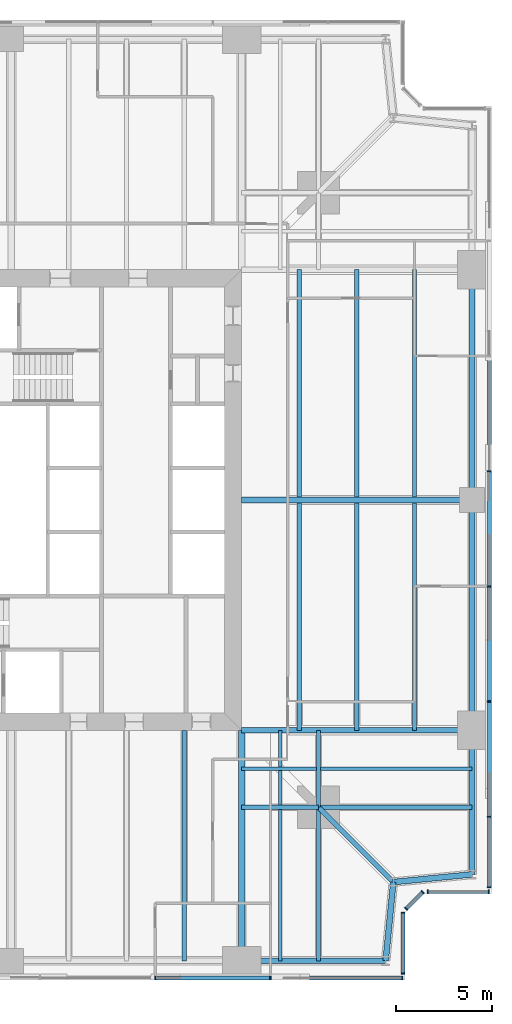
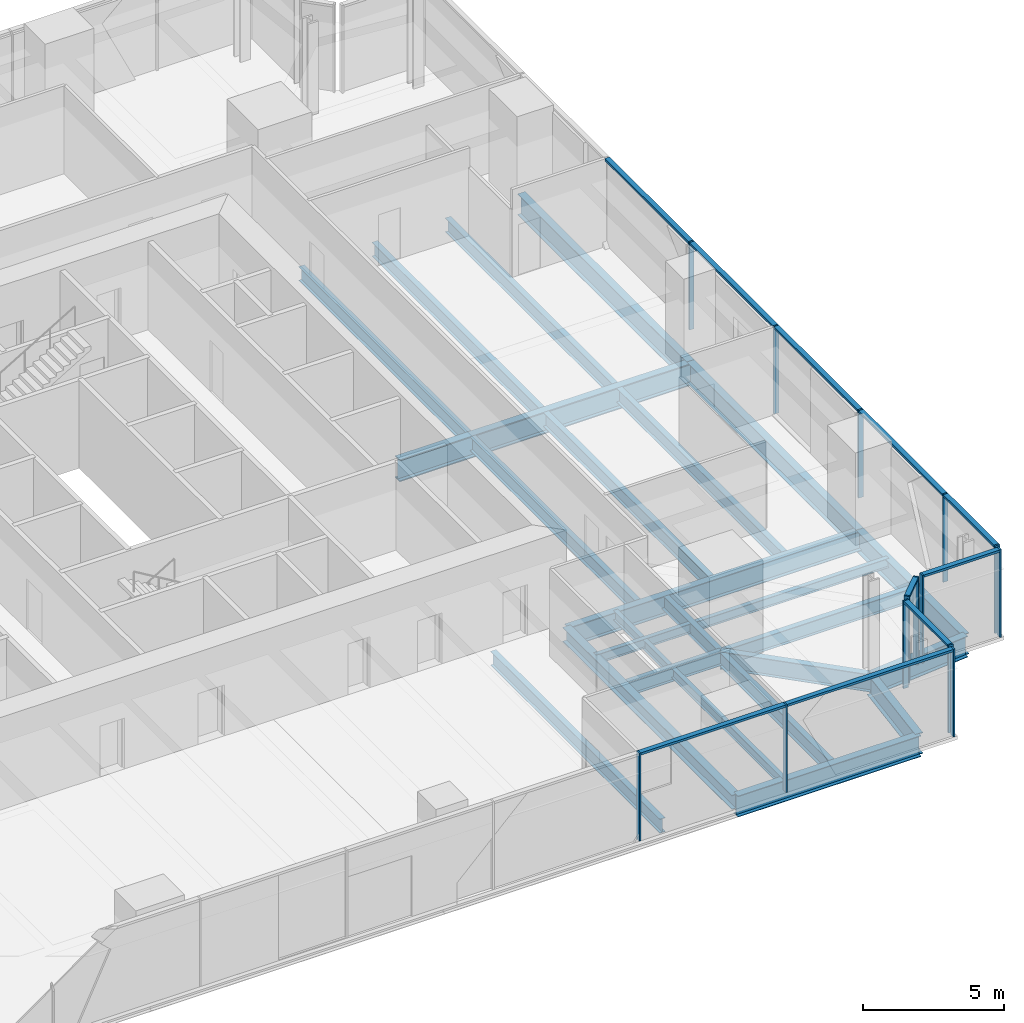
# One storey, part 5 of 13: 26 beams, 24 members, 5 elements without a shape of their own.
"""IFC4 building model written with IfcOpenShell, lengths in metres."""

from ifc_helpers import new_model, si_unit, direction, frame, origin, origin_2d, place, context, subcontext, project, spatial, rectangle, i_section, extrude, material, material_profile, profile_set, type_object, element, aggregate, save


model = new_model("IFC4")

# Units and contexts
model_context = context("Model", 3, precision=1e-05, world=origin(), true_north=direction((0.0, 1.0)))
body_context = subcontext(model_context, "Body", "Model", "MODEL_VIEW")
ifc_project = project(units=[si_unit("LENGTHUNIT", "METRE"), si_unit("AREAUNIT", "SQUARE_METRE"), si_unit("VOLUMEUNIT", "CUBIC_METRE"), si_unit("PLANEANGLEUNIT", "RADIAN"), si_unit("MASSUNIT", "GRAM", prefix="KILO")], contexts=[model_context])

# Site, building, storey
site_placement = place(None, origin())
site = spatial("IfcSite", under=ifc_project, at=site_placement, CompositionType="ELEMENT")
building_placement = place(site_placement, origin())
building = spatial("IfcBuilding", under=site, at=building_placement, Name="Fenwick Lantern Interchange", CompositionType="ELEMENT")
storey_placement = place(building_placement, frame((0.0, 0.0, 158.39990234375)))
storey = spatial("IfcBuildingStorey", under=building, at=storey_placement, Name="L37", CompositionType="ELEMENT", Elevation=158.39990234375)

# Beams
ifc_material_1 = material(Name="Steel ASTM A992 Grade 50", Category="steel")
ifc_material_profile_1 = material_profile(ifc_material_1, i_section(OverallWidth=0.3046875, OverallDepth=0.911865234375, WebThickness=0.015869140625, FlangeThickness=0.02392578125, at=origin_2d()), Name="W36X150")
ifc_profile_set_1 = profile_set([ifc_material_profile_1], Name="Steel ASTM A992 Grade 50")
beam_type_1 = type_object("IfcBeamType", Name="EDGE BEAM W36X150", PredefinedType="SPANDREL", material=ifc_profile_set_1)
beam_1_placement = place(storey_placement, frame((37.0, 1.0, -0.605712890625), z_axis=(1.0, 0.0, 0.0), x_axis=(0.0, 1.0, 0.0)))
element("IfcBeam", 1, at=beam_1_placement, inside=storey, type_object=beam_type_1, Name="L37/FR/S/EB4", PredefinedType="SPANDREL", context=body_context, shape_type="SweptSolid", body=[
    extrude(i_section(OverallWidth=0.3046875, OverallDepth=0.911865234375, WebThickness=0.015869140625, FlangeThickness=0.02392578125, at=origin_2d()), origin(), (0.0, 0.0, 1.0), 7.5),
])
for number, where, z_axis, x_axis, name in (
    (2, (44.5, 1.0, -0.605712890625), (0.097074191287, 0.995277148028, 0.0), (-0.995277148028, 0.097074191287, 0.0), "L37/FR/S/EBR1"),
    (3, (44.89990234375, 5.10009765625, -0.605712890625), (0.995277148028, 0.097074191287, 0.0), (-0.097074191287, 0.995277148028, 0.0), "L37/FR/S/EBR2"),
):
    element("IfcBeam", number, at=place(storey_placement, frame(where, z_axis=z_axis, x_axis=x_axis)), inside=storey, type_object=beam_type_1, Name=name, PredefinedType="SPANDREL", context=body_context, shape_type="SweptSolid", body=[
        extrude(i_section(OverallWidth=0.3046875, OverallDepth=0.911865234375, WebThickness=0.015869140625, FlangeThickness=0.02392578125, at=origin_2d()), origin(), (0.0, 0.0, 1.0), 4.11962890625),
    ])
beam_2_placement = place(storey_placement, frame((49.0, 5.5, -0.605712890625), z_axis=(0.0, 1.0, 0.0), x_axis=(-1.0, 0.0, 0.0)))
element("IfcBeam", 4, at=beam_2_placement, inside=storey, type_object=beam_type_1, Name="L37/FR/E/EB1", PredefinedType="SPANDREL", context=body_context, shape_type="SweptSolid", body=[
    extrude(i_section(OverallWidth=0.3046875, OverallDepth=0.911865234375, WebThickness=0.015869140625, FlangeThickness=0.02392578125, at=origin_2d()), origin(), (0.0, 0.0, 1.0), 7.5),
])
for number, where, z_axis, x_axis, name in (
    (5, (49.0, 13.0, -0.605712890625), (0.0, 1.0, 0.0), (-1.0, 0.0, 0.0), "L37/FR/E/EB2"),
    (6, (49.0, 25.0, -0.605712890625), (0.0, 1.0, 0.0), (-1.0, 0.0, 0.0), "L37/FR/E/EB3"),
):
    element("IfcBeam", number, at=place(storey_placement, frame(where, z_axis=z_axis, x_axis=x_axis)), inside=storey, type_object=beam_type_1, Name=name, PredefinedType="SPANDREL", context=body_context, shape_type="SweptSolid", body=[
        extrude(i_section(OverallWidth=0.3046875, OverallDepth=0.911865234375, WebThickness=0.015869140625, FlangeThickness=0.02392578125, at=origin_2d()), origin(), (0.0, 0.0, 1.0), 12.0),
    ])
ifc_material_profile_2 = material_profile(ifc_material_1, i_section(OverallWidth=0.22900390625, OverallDepth=0.612060546875, WebThickness=0.011962890625, FlangeThickness=0.01953125, at=origin_2d()), Name="W24X84")
ifc_profile_set_2 = profile_set([ifc_material_profile_2], Name="Steel ASTM A992 Grade 50")
beam_type_2 = type_object("IfcBeamType", Name="FLOOR BEAM W24X84", PredefinedType="BEAM", material=ifc_profile_set_2)
beam_3_placement = place(storey_placement, frame((34.0, 1.0, -0.4560546875), z_axis=(0.0, 1.0, 0.0), x_axis=(-1.0, 0.0, 0.0)))
element("IfcBeam", 7, at=beam_3_placement, inside=storey, type_object=beam_type_2, Name="L37/FR/S/R08", PredefinedType="BEAM", context=body_context, shape_type="SweptSolid", body=[
    extrude(i_section(OverallWidth=0.22900390625, OverallDepth=0.612060546875, WebThickness=0.011962890625, FlangeThickness=0.01953125, at=origin_2d()), origin(), (0.0, 0.0, 1.0), 12.0),
])
for number, where, z_axis, x_axis, name in (
    (8, (46.0, 13.0, -0.4560546875), (0.0, 1.0, 0.0), (-1.0, 0.0, 0.0), "L37/FR/E/B01"),
    (9, (43.0, 13.0, -0.4560546875), (0.0, 1.0, 0.0), (-1.0, 0.0, 0.0), "L37/FR/E/B02"),
    (10, (40.0, 13.0, -0.4560546875), (0.0, 1.0, 0.0), (-1.0, 0.0, 0.0), "L37/FR/E/B03"),
    (11, (46.0, 25.155029296875, -0.4560546875), (0.0, 1.0, 0.0), (-1.0, 0.0, 0.0), "L37/FR/E/B04"),
    (12, (43.0, 25.155029296875, -0.4560546875), (0.0, 1.0, 0.0), (-1.0, 0.0, 0.0), "L37/FR/E/B05"),
    (13, (40.0, 25.155029296875, -0.4560546875), (0.0, 1.0, 0.0), (-1.0, 0.0, 0.0), "L37/FR/E/B06"),
):
    element("IfcBeam", number, at=place(storey_placement, frame(where, z_axis=z_axis, x_axis=x_axis)), inside=storey, type_object=beam_type_2, Name=name, PredefinedType="BEAM", context=body_context, shape_type="SweptSolid", body=[
        extrude(i_section(OverallWidth=0.22900390625, OverallDepth=0.612060546875, WebThickness=0.011962890625, FlangeThickness=0.01953125, at=origin_2d()), origin(), (0.0, 0.0, 1.0), 11.844970703125),
    ])
ifc_material_profile_3 = material_profile(ifc_material_1, i_section(OverallWidth=0.177734375, OverallDepth=0.406494140625, WebThickness=0.0078125, FlangeThickness=0.012939453125, at=origin_2d()), Name="W16X40")
ifc_profile_set_3 = profile_set([ifc_material_profile_3], Name="Steel ASTM A992 Grade 50")
beam_type_3 = type_object("IfcBeamType", Name="INFILL BEAM W16X40", PredefinedType="JOIST", material=ifc_profile_set_3)
beam_4_placement = place(storey_placement, frame((49.0, 11.0, -0.35302734375), z_axis=(-1.0, 0.0, 0.0), x_axis=(0.0, -1.0, 0.0)))
element("IfcBeam", 14, at=beam_4_placement, inside=storey, type_object=beam_type_3, Name="L37/FR/E/J1", PredefinedType="JOIST", context=body_context, shape_type="SweptSolid", body=[
    extrude(i_section(OverallWidth=0.177734375, OverallDepth=0.406494140625, WebThickness=0.0078125, FlangeThickness=0.012939453125, at=origin_2d()), origin(), (0.0, 0.0, 1.0), 7.885498046875),
])
beam_5_placement = place(storey_placement, frame((40.885498046875, 11.0, -0.35302734375), z_axis=(-1.0, 0.0, 0.0), x_axis=(0.0, -1.0, 0.0)))
element("IfcBeam", 15, at=beam_5_placement, inside=storey, type_object=beam_type_3, Name="L37/FR/E/J2", PredefinedType="JOIST", context=body_context, shape_type="SweptSolid", body=[
    extrude(i_section(OverallWidth=0.177734375, OverallDepth=0.406494140625, WebThickness=0.0078125, FlangeThickness=0.012939453125, at=origin_2d()), origin(), (0.0, 0.0, 1.0), 3.885498046875),
])
beam_6_placement = place(storey_placement, frame((39.0, 1.0, -0.35302734375), z_axis=(0.0, 1.0, 0.0), x_axis=(-1.0, 0.0, 0.0)))
element("IfcBeam", 16, at=beam_6_placement, inside=storey, type_object=beam_type_3, Name="L37/FR/E/J3", PredefinedType="JOIST", context=body_context, shape_type="SweptSolid", body=[
    extrude(i_section(OverallWidth=0.177734375, OverallDepth=0.406494140625, WebThickness=0.0078125, FlangeThickness=0.012939453125, at=origin_2d()), origin(), (0.0, 0.0, 1.0), 7.885498046875),
])
beam_7_placement = place(storey_placement, frame((39.0, 9.114501953125, -0.35302734375), z_axis=(0.0, 1.0, 0.0), x_axis=(-1.0, 0.0, 0.0)))
element("IfcBeam", 17, at=beam_7_placement, inside=storey, type_object=beam_type_3, Name="L37/FR/E/J4", PredefinedType="JOIST", context=body_context, shape_type="SweptSolid", body=[
    extrude(i_section(OverallWidth=0.177734375, OverallDepth=0.406494140625, WebThickness=0.0078125, FlangeThickness=0.012939453125, at=origin_2d()), origin(), (0.0, 0.0, 1.0), 1.796630859375),
])
beam_8_placement = place(storey_placement, frame((39.0, 11.0888671875, -0.35302734375), z_axis=(0.0, 1.0, 0.0), x_axis=(-1.0, 0.0, 0.0)))
element("IfcBeam", 18, at=beam_8_placement, inside=storey, type_object=beam_type_3, Name="L37/FR/E/J5", PredefinedType="JOIST", context=body_context, shape_type="SweptSolid", body=[
    extrude(i_section(OverallWidth=0.177734375, OverallDepth=0.406494140625, WebThickness=0.0078125, FlangeThickness=0.012939453125, at=origin_2d()), origin(), (0.0, 0.0, 1.0), 1.9111328125),
])
ifc_material_profile_4 = material_profile(ifc_material_1, i_section(OverallWidth=0.22900390625, OverallDepth=0.612060546875, WebThickness=0.011962890625, FlangeThickness=0.01953125, at=origin_2d()), Name="W24X84")
ifc_profile_set_4 = profile_set([ifc_material_profile_4], Name="Steel ASTM A992 Grade 50")
beam_type_4 = type_object("IfcBeamType", Name="MEGA COLUMN BEAM W24X84", PredefinedType="BEAM", material=ifc_profile_set_4)
for number, where, z_axis, x_axis, name in (
    (19, (41.0, 9.0, -0.4560546875), (1.0, 0.0, 0.0), (0.0, 1.0, 0.0), "L37/FR/E/MB1"),
    (20, (41.0, 9.0, -0.4560546875), (0.0, -1.0, 0.0), (1.0, 0.0, 0.0), "L37/FR/E/MB2"),
):
    element("IfcBeam", number, at=place(storey_placement, frame(where, z_axis=z_axis, x_axis=x_axis)), inside=storey, type_object=beam_type_4, Name=name, PredefinedType="BEAM", context=body_context, shape_type="SweptSolid", body=[
        extrude(i_section(OverallWidth=0.22900390625, OverallDepth=0.612060546875, WebThickness=0.011962890625, FlangeThickness=0.01953125, at=origin_2d()), origin(), (0.0, 0.0, 1.0), 8.0),
    ])
for number, where, z_axis, x_axis, name in (
    (21, (41.0, 9.0, -0.4560546875), (0.0, 1.0, 0.0), (-1.0, 0.0, 0.0), "L37/FR/E/MB3"),
    (22, (41.0, 9.0, -0.4560546875), (-1.0, 0.0, 0.0), (0.0, -1.0, 0.0), "L37/FR/E/MB4"),
):
    element("IfcBeam", number, at=place(storey_placement, frame(where, z_axis=z_axis, x_axis=x_axis)), inside=storey, type_object=beam_type_4, Name=name, PredefinedType="BEAM", context=body_context, shape_type="SweptSolid", body=[
        extrude(i_section(OverallWidth=0.22900390625, OverallDepth=0.612060546875, WebThickness=0.011962890625, FlangeThickness=0.01953125, at=origin_2d()), origin(), (0.0, 0.0, 1.0), 4.0),
    ])
ifc_material_profile_5 = material_profile(ifc_material_1, i_section(OverallWidth=0.32763671875, OverallDepth=0.622314453125, WebThickness=0.015380859375, FlangeThickness=0.0244140625, at=origin_2d()), Name="W24X131")
ifc_profile_set_5 = profile_set([ifc_material_profile_5], Name="Steel ASTM A992 Grade 50")
beam_type_5 = type_object("IfcBeamType", Name="MOMENT-CONNECTED GIRDER W24X131", PredefinedType="BEAM", material=ifc_profile_set_5)
beam_9_placement = place(storey_placement, frame((37.0, 1.0, -0.4609375), z_axis=(0.0, 1.0, 0.0), x_axis=(-1.0, 0.0, 0.0)))
element("IfcBeam", 23, at=beam_9_placement, inside=storey, type_object=beam_type_5, Name="L37/FR/S/R09", PredefinedType="BEAM", context=body_context, shape_type="SweptSolid", body=[
    extrude(i_section(OverallWidth=0.32763671875, OverallDepth=0.622314453125, WebThickness=0.015380859375, FlangeThickness=0.0244140625, at=origin_2d()), origin(), (0.0, 0.0, 1.0), 12.0),
])
ifc_material_profile_6 = material_profile(ifc_material_1, i_section(OverallWidth=0.2919921875, OverallDepth=0.845703125, WebThickness=0.015380859375, FlangeThickness=0.0244140625, at=origin_2d()), Name="W33X141")
ifc_profile_set_6 = profile_set([ifc_material_profile_6], Name="Steel ASTM A992 Grade 50")
beam_type_6 = type_object("IfcBeamType", Name="MOMENT-CONNECTED GIRDER W33X141", PredefinedType="BEAM", material=ifc_profile_set_6)
beam_10_placement = place(storey_placement, frame((49.0, 13.0, -0.57275390625), z_axis=(-1.0, 0.0, 0.0), x_axis=(0.0, -1.0, 0.0)))
element("IfcBeam", 24, at=beam_10_placement, inside=storey, type_object=beam_type_6, Name="L37/FR/E/R01", PredefinedType="BEAM", context=body_context, shape_type="SweptSolid", body=[
    extrude(i_section(OverallWidth=0.2919921875, OverallDepth=0.845703125, WebThickness=0.015380859375, FlangeThickness=0.0244140625, at=origin_2d()), origin(), (0.0, 0.0, 1.0), 12.0),
])
ifc_material_profile_7 = material_profile(ifc_material_1, i_section(OverallWidth=0.309814453125, OverallDepth=0.949951171875, WebThickness=0.0244140625, FlangeThickness=0.0439453125, at=origin_2d()), Name="W36X256")
ifc_profile_set_7 = profile_set([ifc_material_profile_7], Name="Steel ASTM A992 Grade 50")
beam_type_7 = type_object("IfcBeamType", Name="MOMENT-CONNECTED GIRDER W36X256", PredefinedType="BEAM", material=ifc_profile_set_7)
beam_11_placement = place(storey_placement, frame((49.0, 25.0, -0.625), z_axis=(-1.0, 0.0, 0.0), x_axis=(0.0, -1.0, 0.0)))
element("IfcBeam", 25, at=beam_11_placement, inside=storey, type_object=beam_type_7, Name="L37/FR/E/R02", PredefinedType="BEAM", context=body_context, shape_type="SweptSolid", body=[
    extrude(i_section(OverallWidth=0.309814453125, OverallDepth=0.949951171875, WebThickness=0.0244140625, FlangeThickness=0.0439453125, at=origin_2d()), origin(), (0.0, 0.0, 1.0), 12.0),
])
ifc_material_profile_8 = material_profile(ifc_material_1, i_section(OverallWidth=0.2666015625, OverallDepth=0.7568359375, WebThickness=0.013916015625, FlangeThickness=0.019287109375, at=origin_2d()), Name="W30X108")
ifc_profile_set_8 = profile_set([ifc_material_profile_8], Name="Steel ASTM A992 Grade 50")
beam_type_8 = type_object("IfcBeamType", Name="NOTCH BEAM W30X108", PredefinedType="BEAM", material=ifc_profile_set_8)
beam_12_placement = place(storey_placement, frame((41.0, 9.0, -0.5283203125), z_axis=(0.707106781187, -0.707106781187, 0.0), x_axis=(0.707106781187, 0.707106781187, 0.0)))
element("IfcBeam", 26, at=beam_12_placement, inside=storey, type_object=beam_type_8, Name="L37/FR/E/TG", PredefinedType="BEAM", context=body_context, shape_type="SweptSolid", body=[
    extrude(i_section(OverallWidth=0.2666015625, OverallDepth=0.7568359375, WebThickness=0.013916015625, FlangeThickness=0.019287109375, at=origin_2d()), origin(), (0.0, 0.0, 1.0), 5.515380859375),
])

# Curtain wall, members
ifc_material_2 = material(Name="Aluminium curtain wall frame", Category="aluminium")
curtain_wall_type = type_object("IfcCurtainWallType", Name="OFFICE CURTAIN WALL", PredefinedType="USERDEFINED", material=ifc_material_2)
curtain_wall_1_placement = place(storey_placement, origin())
curtain_wall_1 = element("IfcCurtainWall", 27, at=curtain_wall_1_placement, inside=storey, type_object=curtain_wall_type, Name="Office curtain wall 01", ObjectType="OFFICE CURTAIN WALL", PredefinedType="USERDEFINED")
ifc_material_3 = material(Name="Aluminium extrusion", Category="aluminium")
ifc_material_profile_9 = material_profile(ifc_material_3, rectangle(XDim=0.199951171875, YDim=0.06494140625, at=origin_2d()), Name="OFFICE CURTAIN WALL MULLION 65 X 200")
ifc_profile_set_9 = profile_set([ifc_material_profile_9], Name="Aluminium extrusion")
member_type_1 = type_object("IfcMemberType", Name="OFFICE CURTAIN WALL MULLION 65 X 200", PredefinedType="MULLION", material=ifc_profile_set_9)
member_1_placement = place(storey_placement, frame((32.5, 0.10009765625, 0.0), z_axis=(0.0, 0.0, 1.0), x_axis=(0.0, 1.0, 0.0)))
member_1 = element("IfcMember", 28, at=member_1_placement, type_object=member_type_1, Name="L37/CW/01/M05", PredefinedType="MULLION", context=body_context, shape_type="SweptSolid", body=[
    extrude(rectangle(XDim=0.199951171875, YDim=0.06494140625, at=origin_2d()), origin(), (0.0, 0.0, 1.0), 3.800048828125),
])
member_2_placement = place(storey_placement, frame((38.5, 0.10009765625, 0.0), z_axis=(0.0, 0.0, 1.0), x_axis=(0.0, 1.0, 0.0)))
member_2 = element("IfcMember", 29, at=member_2_placement, type_object=member_type_1, Name="L37/CW/01/M06", PredefinedType="MULLION", context=body_context, shape_type="SweptSolid", body=[
    extrude(rectangle(XDim=0.199951171875, YDim=0.06494140625, at=origin_2d()), origin(), (0.0, 0.0, 1.0), 3.800048828125),
])
member_3_placement = place(storey_placement, frame((45.367431640625, 0.10009765625, 0.0), z_axis=(0.0, 0.0, 1.0), x_axis=(0.0, 1.0, 0.0)))
member_3 = element("IfcMember", 30, at=member_3_placement, type_object=member_type_1, Name="L37/CW/01/M07", PredefinedType="MULLION", context=body_context, shape_type="SweptSolid", body=[
    extrude(rectangle(XDim=0.199951171875, YDim=0.06494140625, at=origin_2d()), origin(), (0.0, 0.0, 1.0), 3.800048828125),
])

curtain_wall_2_placement = place(storey_placement, origin())
curtain_wall_2 = element("IfcCurtainWall", 31, at=curtain_wall_2_placement, inside=storey, type_object=curtain_wall_type, Name="Office curtain wall 02", ObjectType="OFFICE CURTAIN WALL", PredefinedType="USERDEFINED")
member_4_placement = place(storey_placement, frame((45.39990234375, 0.33251953125, 0.0), z_axis=(0.0, 0.0, 1.0), x_axis=(-1.0, 0.0, 0.0)))
member_4 = element("IfcMember", 32, at=member_4_placement, type_object=member_type_1, Name="L37/CW/02/M00", PredefinedType="MULLION", context=body_context, shape_type="SweptSolid", body=[
    extrude(rectangle(XDim=0.199951171875, YDim=0.06494140625, at=origin_2d()), origin(), (0.0, 0.0, 1.0), 3.800048828125),
])
member_5_placement = place(storey_placement, frame((45.39990234375, 3.509033203125, 0.0), z_axis=(0.0, 0.0, 1.0), x_axis=(-1.0, 0.0, 0.0)))
member_5 = element("IfcMember", 33, at=member_5_placement, type_object=member_type_1, Name="L37/CW/02/M01", PredefinedType="MULLION", context=body_context, shape_type="SweptSolid", body=[
    extrude(rectangle(XDim=0.199951171875, YDim=0.06494140625, at=origin_2d()), origin(), (0.0, 0.0, 1.0), 3.800048828125),
])

curtain_wall_3_placement = place(storey_placement, origin())
curtain_wall_3 = element("IfcCurtainWall", 34, at=curtain_wall_3_placement, inside=storey, type_object=curtain_wall_type, Name="Office curtain wall 03", ObjectType="OFFICE CURTAIN WALL", PredefinedType="USERDEFINED")
member_6_placement = place(storey_placement, frame((45.564453125, 3.705810546875, 0.0), z_axis=(0.0, 0.0, 1.0), x_axis=(-0.707106781187, 0.707106781187, 0.0)))
member_6 = element("IfcMember", 35, at=member_6_placement, type_object=member_type_1, Name="L37/CW/03/M00", PredefinedType="MULLION", context=body_context, shape_type="SweptSolid", body=[
    extrude(rectangle(XDim=0.199951171875, YDim=0.06494140625, at=origin_2d()), origin(), (0.0, 0.0, 1.0), 3.800048828125),
])
member_7_placement = place(storey_placement, frame((46.435546875, 4.576904296875, 0.0), z_axis=(0.0, 0.0, 1.0), x_axis=(-0.707106781187, 0.707106781187, 0.0)))
member_7 = element("IfcMember", 36, at=member_7_placement, type_object=member_type_1, Name="L37/CW/03/M01", PredefinedType="MULLION", context=body_context, shape_type="SweptSolid", body=[
    extrude(rectangle(XDim=0.199951171875, YDim=0.06494140625, at=origin_2d()), origin(), (0.0, 0.0, 1.0), 3.800048828125),
])

curtain_wall_4_placement = place(storey_placement, origin())
curtain_wall_4 = element("IfcCurtainWall", 37, at=curtain_wall_4_placement, inside=storey, type_object=curtain_wall_type, Name="Office curtain wall 04", ObjectType="OFFICE CURTAIN WALL", PredefinedType="USERDEFINED")
member_8_placement = place(storey_placement, frame((46.691162109375, 4.60009765625, 0.0), z_axis=(0.0, 0.0, 1.0), x_axis=(0.0, 1.0, 0.0)))
member_8 = element("IfcMember", 38, at=member_8_placement, type_object=member_type_1, Name="L37/CW/04/M00", PredefinedType="MULLION", context=body_context, shape_type="SweptSolid", body=[
    extrude(rectangle(XDim=0.199951171875, YDim=0.06494140625, at=origin_2d()), origin(), (0.0, 0.0, 1.0), 3.800048828125),
])
member_9_placement = place(storey_placement, frame((49.867431640625, 4.60009765625, 0.0), z_axis=(0.0, 0.0, 1.0), x_axis=(0.0, 1.0, 0.0)))
member_9 = element("IfcMember", 39, at=member_9_placement, type_object=member_type_1, Name="L37/CW/04/M01", PredefinedType="MULLION", context=body_context, shape_type="SweptSolid", body=[
    extrude(rectangle(XDim=0.199951171875, YDim=0.06494140625, at=origin_2d()), origin(), (0.0, 0.0, 1.0), 3.800048828125),
])

curtain_wall_5_placement = place(storey_placement, origin())
curtain_wall_5 = element("IfcCurtainWall", 40, at=curtain_wall_5_placement, inside=storey, type_object=curtain_wall_type, Name="Office curtain wall 05", ObjectType="OFFICE CURTAIN WALL", PredefinedType="USERDEFINED")
member_10_placement = place(storey_placement, frame((49.89990234375, 4.83251953125, 0.0), z_axis=(0.0, 0.0, 1.0), x_axis=(-1.0, 0.0, 0.0)))
member_10 = element("IfcMember", 41, at=member_10_placement, type_object=member_type_1, Name="L37/CW/05/M00", PredefinedType="MULLION", context=body_context, shape_type="SweptSolid", body=[
    extrude(rectangle(XDim=0.199951171875, YDim=0.06494140625, at=origin_2d()), origin(), (0.0, 0.0, 1.0), 3.800048828125),
])
member_11_placement = place(storey_placement, frame((49.89990234375, 8.5, 0.0), z_axis=(0.0, 0.0, 1.0), x_axis=(-1.0, 0.0, 0.0)))
member_11 = element("IfcMember", 42, at=member_11_placement, type_object=member_type_1, Name="L37/CW/05/M01", PredefinedType="MULLION", context=body_context, shape_type="SweptSolid", body=[
    extrude(rectangle(XDim=0.199951171875, YDim=0.06494140625, at=origin_2d()), origin(), (0.0, 0.0, 1.0), 3.800048828125),
])
member_12_placement = place(storey_placement, frame((49.89990234375, 14.5, 0.0), z_axis=(0.0, 0.0, 1.0), x_axis=(-1.0, 0.0, 0.0)))
member_12 = element("IfcMember", 43, at=member_12_placement, type_object=member_type_1, Name="L37/CW/05/M02", PredefinedType="MULLION", context=body_context, shape_type="SweptSolid", body=[
    extrude(rectangle(XDim=0.199951171875, YDim=0.06494140625, at=origin_2d()), origin(), (0.0, 0.0, 1.0), 3.800048828125),
])
member_13_placement = place(storey_placement, frame((49.89990234375, 20.5, 0.0), z_axis=(0.0, 0.0, 1.0), x_axis=(-1.0, 0.0, 0.0)))
member_13 = element("IfcMember", 44, at=member_13_placement, type_object=member_type_1, Name="L37/CW/05/M03", PredefinedType="MULLION", context=body_context, shape_type="SweptSolid", body=[
    extrude(rectangle(XDim=0.199951171875, YDim=0.06494140625, at=origin_2d()), origin(), (0.0, 0.0, 1.0), 3.800048828125),
])
member_14_placement = place(storey_placement, frame((49.89990234375, 26.5, 0.0), z_axis=(0.0, 0.0, 1.0), x_axis=(-1.0, 0.0, 0.0)))
member_14 = element("IfcMember", 45, at=member_14_placement, type_object=member_type_1, Name="L37/CW/05/M04", PredefinedType="MULLION", context=body_context, shape_type="SweptSolid", body=[
    extrude(rectangle(XDim=0.199951171875, YDim=0.06494140625, at=origin_2d()), origin(), (0.0, 0.0, 1.0), 3.800048828125),
])

# Member
ifc_material_profile_10 = material_profile(ifc_material_3, rectangle(XDim=0.199951171875, YDim=0.10009765625, at=origin_2d()), Name="OFFICE CURTAIN WALL TRANSOM 100 X 200")
ifc_profile_set_10 = profile_set([ifc_material_profile_10], Name="Aluminium extrusion")
member_type_2 = type_object("IfcMemberType", Name="OFFICE CURTAIN WALL TRANSOM 100 X 200", PredefinedType="MULLION", material=ifc_profile_set_10)
member_15_placement = place(storey_placement, frame((32.532470703125, 0.10009765625, 3.75), z_axis=(1.0, 0.0, 0.0), x_axis=(0.0, 1.0, 0.0)))
member_15 = element("IfcMember", 46, at=member_15_placement, type_object=member_type_2, Name="L37/CW/01/T05", PredefinedType="MULLION", context=body_context, shape_type="SweptSolid", body=[
    extrude(rectangle(XDim=0.199951171875, YDim=0.10009765625, at=origin_2d()), origin(), (0.0, 0.0, 1.0), 5.93505859375),
])

member_16_placement = place(storey_placement, frame((38.532470703125, 0.10009765625, 3.75), z_axis=(1.0, 0.0, 0.0), x_axis=(0.0, 1.0, 0.0)))
member_16 = element("IfcMember", 47, at=member_16_placement, type_object=member_type_2, Name="L37/CW/01/T06", PredefinedType="MULLION", context=body_context, shape_type="SweptSolid", body=[
    extrude(rectangle(XDim=0.199951171875, YDim=0.10009765625, at=origin_2d()), origin(), (0.0, 0.0, 1.0), 6.802490234375),
])

aggregate(curtain_wall_1, [member_1, member_2, member_3, member_15, member_16])

member_17_placement = place(storey_placement, frame((45.39990234375, 0.364990234375, 3.75), z_axis=(0.0, 1.0, 0.0), x_axis=(-1.0, 0.0, 0.0)))
member_17 = element("IfcMember", 48, at=member_17_placement, type_object=member_type_2, Name="L37/CW/02/T00", PredefinedType="MULLION", context=body_context, shape_type="SweptSolid", body=[
    extrude(rectangle(XDim=0.199951171875, YDim=0.10009765625, at=origin_2d()), origin(), (0.0, 0.0, 1.0), 3.111328125),
])

aggregate(curtain_wall_2, [member_4, member_5, member_17])

member_18_placement = place(storey_placement, frame((45.58740234375, 3.728759765625, 3.75), z_axis=(0.707106781187, 0.707106781187, 0.0), x_axis=(-0.707106781187, 0.707106781187, 0.0)))
member_18 = element("IfcMember", 49, at=member_18_placement, type_object=member_type_2, Name="L37/CW/03/T00", PredefinedType="MULLION", context=body_context, shape_type="SweptSolid", body=[
    extrude(rectangle(XDim=0.199951171875, YDim=0.10009765625, at=origin_2d()), origin(), (0.0, 0.0, 1.0), 1.1669921875),
])

aggregate(curtain_wall_3, [member_6, member_7, member_18])

member_19_placement = place(storey_placement, frame((46.7236328125, 4.60009765625, 3.75), z_axis=(1.0, 0.0, 0.0), x_axis=(0.0, 1.0, 0.0)))
member_19 = element("IfcMember", 50, at=member_19_placement, type_object=member_type_2, Name="L37/CW/04/T00", PredefinedType="MULLION", context=body_context, shape_type="SweptSolid", body=[
    extrude(rectangle(XDim=0.199951171875, YDim=0.10009765625, at=origin_2d()), origin(), (0.0, 0.0, 1.0), 3.111328125),
])

aggregate(curtain_wall_4, [member_8, member_9, member_19])

member_20_placement = place(storey_placement, frame((49.89990234375, 4.864990234375, 3.75), z_axis=(0.0, 1.0, 0.0), x_axis=(-1.0, 0.0, 0.0)))
member_20 = element("IfcMember", 51, at=member_20_placement, type_object=member_type_2, Name="L37/CW/05/T00", PredefinedType="MULLION", context=body_context, shape_type="SweptSolid", body=[
    extrude(rectangle(XDim=0.199951171875, YDim=0.10009765625, at=origin_2d()), origin(), (0.0, 0.0, 1.0), 3.6025390625),
])

member_21_placement = place(storey_placement, frame((49.89990234375, 8.532470703125, 3.75), z_axis=(0.0, 1.0, 0.0), x_axis=(-1.0, 0.0, 0.0)))
member_21 = element("IfcMember", 52, at=member_21_placement, type_object=member_type_2, Name="L37/CW/05/T01", PredefinedType="MULLION", context=body_context, shape_type="SweptSolid", body=[
    extrude(rectangle(XDim=0.199951171875, YDim=0.10009765625, at=origin_2d()), origin(), (0.0, 0.0, 1.0), 5.93505859375),
])

member_22_placement = place(storey_placement, frame((49.89990234375, 14.532470703125, 3.75), z_axis=(0.0, 1.0, 0.0), x_axis=(-1.0, 0.0, 0.0)))
member_22 = element("IfcMember", 53, at=member_22_placement, type_object=member_type_2, Name="L37/CW/05/T02", PredefinedType="MULLION", context=body_context, shape_type="SweptSolid", body=[
    extrude(rectangle(XDim=0.199951171875, YDim=0.10009765625, at=origin_2d()), origin(), (0.0, 0.0, 1.0), 5.93505859375),
])

member_23_placement = place(storey_placement, frame((49.89990234375, 20.532470703125, 3.75), z_axis=(0.0, 1.0, 0.0), x_axis=(-1.0, 0.0, 0.0)))
member_23 = element("IfcMember", 54, at=member_23_placement, type_object=member_type_2, Name="L37/CW/05/T03", PredefinedType="MULLION", context=body_context, shape_type="SweptSolid", body=[
    extrude(rectangle(XDim=0.199951171875, YDim=0.10009765625, at=origin_2d()), origin(), (0.0, 0.0, 1.0), 5.93505859375),
])

member_24_placement = place(storey_placement, frame((49.89990234375, 26.532470703125, 3.75), z_axis=(0.0, 1.0, 0.0), x_axis=(-1.0, 0.0, 0.0)))
member_24 = element("IfcMember", 55, at=member_24_placement, type_object=member_type_2, Name="L37/CW/05/T04", PredefinedType="MULLION", context=body_context, shape_type="SweptSolid", body=[
    extrude(rectangle(XDim=0.199951171875, YDim=0.10009765625, at=origin_2d()), origin(), (0.0, 0.0, 1.0), 5.93505859375),
])

aggregate(curtain_wall_5, [member_10, member_11, member_12, member_13, member_14, member_20, member_21, member_22, member_23, member_24])

save(model, "model.ifc")
